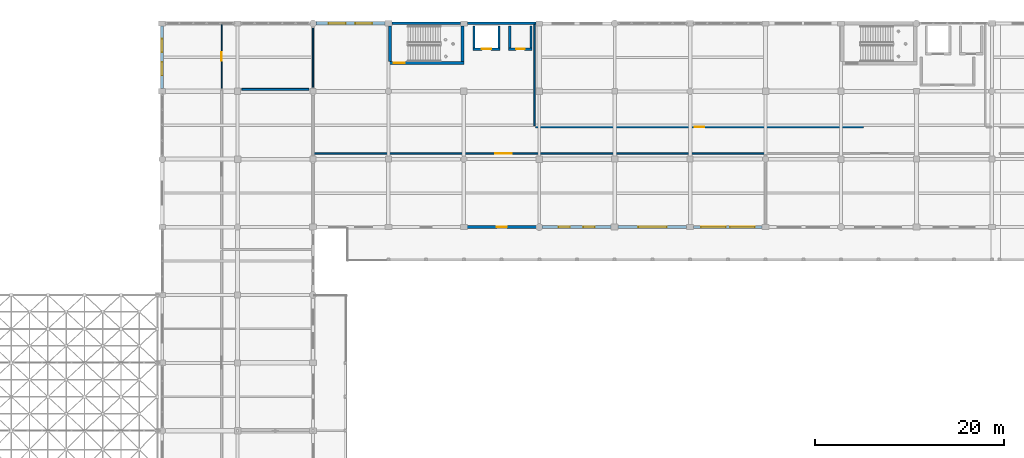
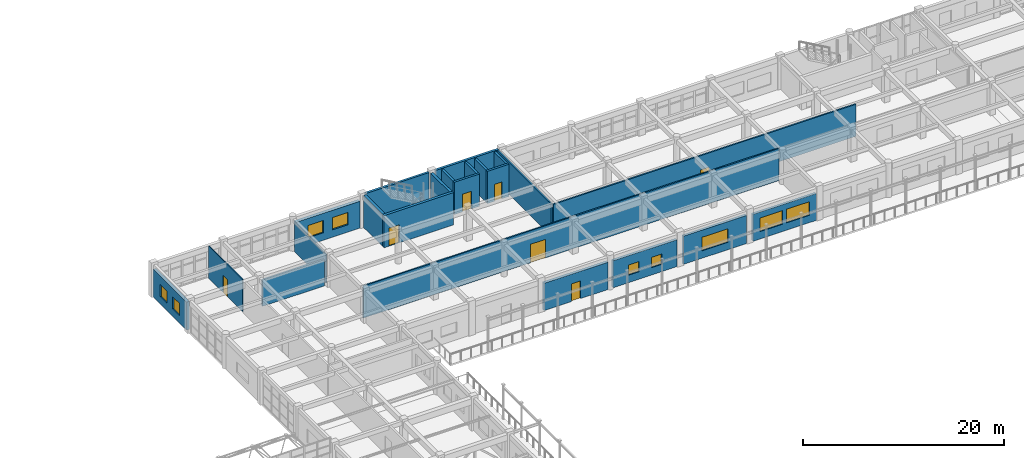
# One storey, part 170 of 195: 23 walls, 9 windows, 7 doors, 16 openings.
"""IFC4 building model written with IfcOpenShell, lengths in metres."""

from ifc_helpers import new_model, si_unit, direction, frame, frame_2d, origin, place, context, subcontext, project, spatial, rectangle, extrude, material, layer, layer_set, type_object, element, fill, save


model = new_model("IFC4")

# Units and contexts
model_context = context("Model", 3, precision=1e-05, world=origin(), true_north=direction((0.0, 1.0)))
body_context = subcontext(model_context, "Body", "Model", "MODEL_VIEW")
ifc_project = project(units=[si_unit("LENGTHUNIT", "METRE"), si_unit("AREAUNIT", "SQUARE_METRE"), si_unit("VOLUMEUNIT", "CUBIC_METRE"), si_unit("PLANEANGLEUNIT", "RADIAN"), si_unit("MASSUNIT", "GRAM", prefix="KILO")], contexts=[model_context])

# Site, building, storey
site_placement = place(None, origin())
site = spatial("IfcSite", under=ifc_project, at=site_placement, CompositionType="ELEMENT")
building_placement = place(site_placement, origin())
building = spatial("IfcBuilding", under=site, at=building_placement, Name="Kharva Crest Polytechnic", CompositionType="ELEMENT")
storey_placement = place(building_placement, frame((0.0, 0.0, 9.0)))
storey = spatial("IfcBuildingStorey", under=building, at=storey_placement, Name="L02", CompositionType="ELEMENT", Elevation=9.0)

# Wall, opening, door
ifc_material_1 = material(Name="Concrete C40/50", Category="concrete")
ifc_layer_1 = layer(ifc_material_1, 0.300048828125, Name="Concrete C40/50")
ifc_layer_set_1 = layer_set([ifc_layer_1], Name="Concrete C40/50")
wall_type_1 = type_object("IfcWallType", Name="WL-CORE-CW2-300", PredefinedType="SHEAR", material=ifc_layer_set_1)
wall_1_placement = place(storey_placement, frame((56.0, 117.7900390625, 0.0), z_axis=(0.0, 0.0, 1.0), x_axis=(1.0, 0.0, 0.0)))
wall_1 = element("IfcWall", 1, at=wall_1_placement, inside=storey, type_object=wall_type_1, Name="L02 North-West Lab Core C3 South Shear Wall", PredefinedType="SHEAR", context=body_context, shape_type="SweptSolid", body=[
    extrude(rectangle(XDim=8.0, YDim=0.300048828125, at=frame_2d((4.0, 0.0))), origin(), (0.0, 0.0, 1.0), 3.919921875),
])
opening_1_placement = place(wall_1_placement, frame((0.550048828125, 0.0, 0.0)))
opening_1 = element("IfcOpeningElement", 2, at=opening_1_placement, cuts=wall_1, Name="Opening FD1", PredefinedType="OPENING", context=body_context, shape_type="SweptSolid", body=[
    extrude(rectangle(XDim=1.199951171875, YDim=2.199951171875, at=frame_2d((0.60009765625, 1.10009765625))), frame((0.0, 0.159912109375, 0.0), z_axis=(0.0, -1.0, 0.0), x_axis=(1.0, 0.0, 0.0)), (0.0, 0.0, 1.0), 0.320068359375),
])
ifc_material_2 = material(Name="Teak timber", Category="wood")
door_type_1 = type_object("IfcDoorType", Name="DR-STAIR-1200X2200", OperationType="NOTDEFINED", PredefinedType="DOOR", material=ifc_material_2)
door_1_placement = place(opening_1_placement, origin())
door_1 = element("IfcDoor", 3, at=door_1_placement, inside=storey, type_object=door_type_1, Name="L02 ST-03 Stair Door", OperationType="SINGLE_SWING_LEFT", OverallHeight=2.199951171875, OverallWidth=1.199951171875, PredefinedType="DOOR", context=body_context, shape_type="SweptSolid", body=[
    extrude(rectangle(XDim=1.199951171875, YDim=2.199951171875, at=frame_2d((0.60009765625, 1.10009765625))), frame((0.0, 0.02490234375, 0.0), z_axis=(0.0, -1.0, 0.0), x_axis=(1.0, 0.0, 0.0)), (0.0, 0.0, 1.0), 0.050048828125),
])
fill(opening_1, door_1)

# Walls
for number, where, z_axis, x_axis, name in (
    (4, (56.14990234375, 117.93994140625, 0.0), (0.0, 0.0, 1.0), (0.0, 1.0, 0.0), "L02 North-West Lab Core C3 West Shear Wall"),
    (5, (63.85009765625, 117.93994140625, 0.0), (0.0, 0.0, 1.0), (0.0, 1.0, 0.0), "L02 North-West Lab Core C3 East Shear Wall"),
):
    element("IfcWall", number, at=place(storey_placement, frame(where, z_axis=z_axis, x_axis=x_axis)), inside=storey, type_object=wall_type_1, Name=name, PredefinedType="SHEAR", context=body_context, shape_type="SweptSolid", body=[
        extrude(rectangle(XDim=3.760009765625, YDim=0.300048828125, at=frame_2d((1.8798828125, 0.0))), origin(), (0.0, 0.0, 1.0), 3.919921875),
    ])
ifc_material_3 = material(Name="Kiln brick masonry", Category="masonry")
ifc_layer_2 = layer(ifc_material_3, 0.260009765625, Name="Kiln brick masonry")
ifc_layer_set_2 = layer_set([ifc_layer_2], Name="Kiln brick masonry")
wall_type_2 = type_object("IfcWallType", Name="WL-EXT-BRK-260", PredefinedType="SOLIDWALL", material=ifc_layer_set_2)
wall_2_placement = place(storey_placement, frame((63.6298828125, 122.0, 0.0), z_axis=(0.0, 0.0, 1.0), x_axis=(-1.0, 0.0, 0.0)))
element("IfcWall", 6, at=wall_2_placement, inside=storey, type_object=wall_type_2, Name="L02 Exterior Brick Wall 294", PredefinedType="SOLIDWALL", context=body_context, shape_type="SweptSolid", body=[
    extrude(rectangle(XDim=7.259765625, YDim=0.260009765625, at=frame_2d((3.6298828125, 0.0))), origin(), (0.0, 0.0, 1.0), 3.919921875),
])

# Wall, openings, windows
ifc_layer_3 = layer(ifc_material_3, 0.27490234375, Name="Kiln brick masonry")
ifc_layer_set_3 = layer_set([ifc_layer_3], Name="Kiln brick masonry")
wall_type_3 = type_object("IfcWallType", Name="WL-EXT-BRK-275", PredefinedType="SOLIDWALL", material=ifc_layer_set_3)
wall_3_placement = place(storey_placement, frame((88.3701171875, 100.39990234375, 0.0), z_axis=(0.0, 0.0, 1.0), x_axis=(1.0, 0.0, 0.0)))
wall_3 = element("IfcWall", 7, at=wall_3_placement, inside=storey, type_object=wall_type_3, Name="L02 Exterior Brick Wall 268", PredefinedType="SOLIDWALL", context=body_context, shape_type="SweptSolid", body=[
    extrude(rectangle(XDim=7.27490234375, YDim=0.27490234375, at=frame_2d((3.637451171875, 0.0))), origin(), (0.0, 0.0, 1.0), 3.27001953125),
])
opening_2_placement = place(wall_3_placement, frame((0.798095703125, 0.0, 0.89990234375)))
opening_2 = element("IfcOpeningElement", 8, at=opening_2_placement, cuts=wall_3, Name="Opening W24", PredefinedType="OPENING", context=body_context, shape_type="SweptSolid", body=[
    extrude(rectangle(XDim=2.60009765625, YDim=1.64990234375, at=frame_2d((1.300048828125, 0.824951171875))), frame((0.0, 0.1474609375, 0.0), z_axis=(0.0, -1.0, 0.0), x_axis=(1.0, 0.0, 0.0)), (0.0, 0.0, 1.0), 0.294921875),
])
opening_3_placement = place(wall_3_placement, frame((3.876953125, 0.0, 0.89990234375)))
opening_3 = element("IfcOpeningElement", 9, at=opening_3_placement, cuts=wall_3, Name="Opening W24", PredefinedType="OPENING", context=body_context, shape_type="SweptSolid", body=[
    extrude(rectangle(XDim=2.60009765625, YDim=1.64990234375, at=frame_2d((1.300048828125, 0.824951171875))), frame((0.0, 0.1474609375, 0.0), z_axis=(0.0, -1.0, 0.0), x_axis=(1.0, 0.0, 0.0)), (0.0, 0.0, 1.0), 0.294921875),
])
ifc_material_4 = material(Name="Anodised aluminium", Category="aluminium")
window_type_1 = type_object("IfcWindowType", Name="WIN-ALU-2600X1650", PartitioningType="SINGLE_PANEL", PredefinedType="WINDOW", material=ifc_material_4)
window_1_placement = place(opening_2_placement, origin())
window_1 = element("IfcWindow", 10, at=window_1_placement, inside=storey, type_object=window_type_1, Name="L02 Exterior Window 357", OverallHeight=1.64990234375, OverallWidth=2.60009765625, PartitioningType="SINGLE_PANEL", PredefinedType="WINDOW", context=body_context, shape_type="SweptSolid", body=[
    extrude(rectangle(XDim=2.60009765625, YDim=1.64990234375, at=frame_2d((1.300048828125, 0.824951171875))), frame((0.0, 0.030029296875, 0.0), z_axis=(0.0, -1.0, 0.0), x_axis=(1.0, 0.0, 0.0)), (0.0, 0.0, 1.0), 0.06005859375),
])
fill(opening_2, window_1)
window_2_placement = place(opening_3_placement, origin())
window_2 = element("IfcWindow", 11, at=window_2_placement, inside=storey, type_object=window_type_1, Name="L02 Exterior Window 358", OverallHeight=1.64990234375, OverallWidth=2.60009765625, PartitioningType="SINGLE_PANEL", PredefinedType="WINDOW", context=body_context, shape_type="SweptSolid", body=[
    extrude(rectangle(XDim=2.60009765625, YDim=1.64990234375, at=frame_2d((1.300048828125, 0.824951171875))), frame((0.0, 0.030029296875, 0.0), z_axis=(0.0, -1.0, 0.0), x_axis=(1.0, 0.0, 0.0)), (0.0, 0.0, 1.0), 0.06005859375),
])
fill(opening_3, window_2)

# Wall
wall_4_placement = place(storey_placement, frame((71.64501953125, 122.0, 0.0), z_axis=(0.0, 0.0, 1.0), x_axis=(-1.0, 0.0, 0.0)))
element("IfcWall", 12, at=wall_4_placement, inside=storey, type_object=wall_type_3, Name="L02 Exterior Brick Wall 293", PredefinedType="SOLIDWALL", context=body_context, shape_type="SweptSolid", body=[
    extrude(rectangle(XDim=7.27490234375, YDim=0.27490234375, at=frame_2d((3.637451171875, 0.0))), origin(), (0.0, 0.0, 1.0), 3.919921875),
])

# Wall, opening, window
ifc_layer_4 = layer(ifc_material_3, 0.2900390625, Name="Kiln brick masonry")
ifc_layer_set_4 = layer_set([ifc_layer_4], Name="Kiln brick masonry")
wall_type_4 = type_object("IfcWallType", Name="WL-EXT-BRK-290", PredefinedType="SOLIDWALL", material=ifc_layer_set_4)
wall_5_placement = place(storey_placement, frame((80.3701171875, 100.39990234375, 0.0), z_axis=(0.0, 0.0, 1.0), x_axis=(1.0, 0.0, 0.0)))
wall_5 = element("IfcWall", 13, at=wall_5_placement, inside=storey, type_object=wall_type_4, Name="L02 Exterior Brick Wall 267", PredefinedType="SOLIDWALL", context=body_context, shape_type="SweptSolid", body=[
    extrude(rectangle(XDim=7.259765625, YDim=0.2900390625, at=frame_2d((3.6298828125, 0.0))), origin(), (0.0, 0.0, 1.0), 3.419921875),
])
opening_4_placement = place(wall_5_placement, frame((2.1298828125, 0.0, 0.89990234375)))
opening_4 = element("IfcOpeningElement", 14, at=opening_4_placement, cuts=wall_5, Name="Opening W23", PredefinedType="OPENING", context=body_context, shape_type="SweptSolid", body=[
    extrude(rectangle(XDim=3.0, YDim=1.64990234375, at=frame_2d((1.5, 0.824951171875))), frame((0.0, 0.155029296875, 0.0), z_axis=(0.0, -1.0, 0.0), x_axis=(1.0, 0.0, 0.0)), (0.0, 0.0, 1.0), 0.31005859375),
])
window_type_2 = type_object("IfcWindowType", Name="WIN-ALU-3000X1650", PartitioningType="SINGLE_PANEL", PredefinedType="WINDOW", material=ifc_material_4)
window_3_placement = place(opening_4_placement, origin())
window_3 = element("IfcWindow", 15, at=window_3_placement, inside=storey, type_object=window_type_2, Name="L02 Exterior Window 356", OverallHeight=1.64990234375, OverallWidth=3.0, PartitioningType="SINGLE_PANEL", PredefinedType="WINDOW", context=body_context, shape_type="SweptSolid", body=[
    extrude(rectangle(XDim=3.0, YDim=1.64990234375, at=frame_2d((1.5, 0.824951171875))), frame((0.0, 0.030029296875, 0.0), z_axis=(0.0, -1.0, 0.0), x_axis=(1.0, 0.0, 0.0)), (0.0, 0.0, 1.0), 0.06005859375),
])
fill(opening_4, window_3)

# Wall, openings, windows
ifc_layer_5 = layer(ifc_material_3, 0.304931640625, Name="Kiln brick masonry")
ifc_layer_set_5 = layer_set([ifc_layer_5], Name="Kiln brick masonry")
wall_type_5 = type_object("IfcWallType", Name="WL-EXT-BRK-305", PredefinedType="SOLIDWALL", material=ifc_layer_set_5)
wall_6_placement = place(storey_placement, frame((72.302490234375, 100.39990234375, 0.0), z_axis=(0.0, 0.0, 1.0), x_axis=(1.0, 0.0, 0.0)))
wall_6 = element("IfcWall", 16, at=wall_6_placement, inside=storey, type_object=wall_type_5, Name="L02 Exterior Brick Wall 266", PredefinedType="SOLIDWALL", context=body_context, shape_type="SweptSolid", body=[
    extrude(rectangle(XDim=7.327392578125, YDim=0.304931640625, at=frame_2d((3.66357421875, 0.0))), origin(), (0.0, 0.0, 1.0), 3.27001953125),
])
opening_5_placement = place(wall_6_placement, frame((1.7490234375, 0.0, 0.89990234375)))
opening_5 = element("IfcOpeningElement", 17, at=opening_5_placement, cuts=wall_6, Name="Opening W21", PredefinedType="OPENING", context=body_context, shape_type="SweptSolid", body=[
    extrude(rectangle(XDim=1.199951171875, YDim=1.25, at=frame_2d((0.60009765625, 0.625))), frame((0.0, 0.162353515625, 0.0), z_axis=(0.0, -1.0, 0.0), x_axis=(1.0, 0.0, 0.0)), (0.0, 0.0, 1.0), 0.324951171875),
])
opening_6_placement = place(wall_6_placement, frame((4.3779296875, 0.0, 0.89990234375)))
opening_6 = element("IfcOpeningElement", 18, at=opening_6_placement, cuts=wall_6, Name="Opening W21", PredefinedType="OPENING", context=body_context, shape_type="SweptSolid", body=[
    extrude(rectangle(XDim=1.199951171875, YDim=1.25, at=frame_2d((0.60009765625, 0.625))), frame((0.0, 0.162353515625, 0.0), z_axis=(0.0, -1.0, 0.0), x_axis=(1.0, 0.0, 0.0)), (0.0, 0.0, 1.0), 0.324951171875),
])
window_type_3 = type_object("IfcWindowType", Name="WIN-ALU-1200X1250", PartitioningType="SINGLE_PANEL", PredefinedType="WINDOW", material=ifc_material_4)
window_4_placement = place(opening_5_placement, origin())
window_4 = element("IfcWindow", 19, at=window_4_placement, inside=storey, type_object=window_type_3, Name="L02 Exterior Window 354", OverallHeight=1.25, OverallWidth=1.199951171875, PartitioningType="SINGLE_PANEL", PredefinedType="WINDOW", context=body_context, shape_type="SweptSolid", body=[
    extrude(rectangle(XDim=1.199951171875, YDim=1.25, at=frame_2d((0.60009765625, 0.625))), frame((0.0, 0.030029296875, 0.0), z_axis=(0.0, -1.0, 0.0), x_axis=(1.0, 0.0, 0.0)), (0.0, 0.0, 1.0), 0.06005859375),
])
fill(opening_5, window_4)
window_5_placement = place(opening_6_placement, origin())
window_5 = element("IfcWindow", 20, at=window_5_placement, inside=storey, type_object=window_type_3, Name="L02 Exterior Window 355", OverallHeight=1.25, OverallWidth=1.199951171875, PartitioningType="SINGLE_PANEL", PredefinedType="WINDOW", context=body_context, shape_type="SweptSolid", body=[
    extrude(rectangle(XDim=1.199951171875, YDim=1.25, at=frame_2d((0.60009765625, 0.625))), frame((0.0, 0.030029296875, 0.0), z_axis=(0.0, -1.0, 0.0), x_axis=(1.0, 0.0, 0.0)), (0.0, 0.0, 1.0), 0.06005859375),
])
fill(opening_6, window_5)

# Wall, opening, door
ifc_layer_6 = layer(ifc_material_3, 0.320068359375, Name="Kiln brick masonry")
ifc_layer_set_6 = layer_set([ifc_layer_6], Name="Kiln brick masonry")
wall_type_6 = type_object("IfcWallType", Name="WL-EXT-BRK-320", PredefinedType="SOLIDWALL", material=ifc_layer_set_6)
wall_7_placement = place(storey_placement, frame((64.35498046875, 100.39990234375, 0.0), z_axis=(0.0, 0.0, 1.0), x_axis=(1.0, 0.0, 0.0)))
wall_7 = element("IfcWall", 21, at=wall_7_placement, inside=storey, type_object=wall_type_6, Name="L02 Exterior Brick Wall 265", PredefinedType="SOLIDWALL", context=body_context, shape_type="SweptSolid", body=[
    extrude(rectangle(XDim=7.342529296875, YDim=0.320068359375, at=frame_2d((3.67138671875, 0.0))), origin(), (0.0, 0.0, 1.0), 3.320068359375),
])
opening_7_placement = place(wall_7_placement, frame((3.14599609375, 0.0, 0.0)))
opening_7 = element("IfcOpeningElement", 22, at=opening_7_placement, cuts=wall_7, Name="Opening ED10", PredefinedType="OPENING", context=body_context, shape_type="SweptSolid", body=[
    extrude(rectangle(XDim=1.050048828125, YDim=2.14990234375, at=frame_2d((0.52490234375, 1.074951171875))), frame((0.0, 0.169921875, 0.0), z_axis=(0.0, -1.0, 0.0), x_axis=(1.0, 0.0, 0.0)), (0.0, 0.0, 1.0), 0.340087890625),
])
door_type_2 = type_object("IfcDoorType", Name="DR-EXT-TER-1050X2150", OperationType="NOTDEFINED", PredefinedType="DOOR", material=ifc_material_4)
door_2_placement = place(opening_7_placement, frame((1.050048828125, 0.0, 0.0), z_axis=(0.0, 0.0, 1.0), x_axis=(-1.0, 0.0, 0.0)))
door_2 = element("IfcDoor", 23, at=door_2_placement, inside=storey, type_object=door_type_2, Name="L02 VER_N_L02 Access Door 47", OperationType="SINGLE_SWING_LEFT", OverallHeight=2.14990234375, OverallWidth=1.050048828125, PredefinedType="DOOR", context=body_context, shape_type="SweptSolid", body=[
    extrude(rectangle(XDim=1.050048828125, YDim=2.14990234375, at=frame_2d((0.52490234375, 1.074951171875))), frame((0.0, 0.02490234375, 0.0), z_axis=(0.0, -1.0, 0.0), x_axis=(1.0, 0.0, 0.0)), (0.0, 0.0, 1.0), 0.050048828125),
])
fill(opening_7, door_2)

# Wall, openings, windows
ifc_layer_7 = layer(ifc_material_3, 0.3349609375, Name="Kiln brick masonry")
ifc_layer_set_7 = layer_set([ifc_layer_7], Name="Kiln brick masonry")
wall_type_7 = type_object("IfcWallType", Name="WL-EXT-BRK-335", PredefinedType="SOLIDWALL", material=ifc_layer_set_7)
wall_8_placement = place(storey_placement, frame((32.0, 121.72998046875, 0.0), z_axis=(0.0, 0.0, 1.0), x_axis=(0.0, -1.0, 0.0)))
wall_8 = element("IfcWall", 24, at=wall_8_placement, inside=storey, type_object=wall_type_7, Name="L02 Exterior Brick Wall 296", PredefinedType="SOLIDWALL", context=body_context, shape_type="SweptSolid", body=[
    extrude(rectangle(XDim=6.635009765625, YDim=0.3349609375, at=frame_2d((3.3173828125, 0.0))), origin(), (0.0, 0.0, 1.0), 3.39990234375),
])
opening_8_placement = place(wall_8_placement, frame((1.385009765625, 0.0, 0.89990234375)))
opening_8 = element("IfcOpeningElement", 25, at=opening_8_placement, cuts=wall_8, Name="Opening W15", PredefinedType="OPENING", context=body_context, shape_type="SweptSolid", body=[
    extrude(rectangle(XDim=1.39990234375, YDim=1.5, at=frame_2d((0.699951171875, 0.75))), frame((0.0, 0.177490234375, 0.0), z_axis=(0.0, -1.0, 0.0), x_axis=(1.0, 0.0, 0.0)), (0.0, 0.0, 1.0), 0.35498046875),
])
opening_9_placement = place(wall_8_placement, frame((3.85009765625, 0.0, 0.89990234375)))
opening_9 = element("IfcOpeningElement", 26, at=opening_9_placement, cuts=wall_8, Name="Opening W15", PredefinedType="OPENING", context=body_context, shape_type="SweptSolid", body=[
    extrude(rectangle(XDim=1.39990234375, YDim=1.5, at=frame_2d((0.699951171875, 0.75))), frame((0.0, 0.177490234375, 0.0), z_axis=(0.0, -1.0, 0.0), x_axis=(1.0, 0.0, 0.0)), (0.0, 0.0, 1.0), 0.35498046875),
])
window_type_4 = type_object("IfcWindowType", Name="WIN-ALU-1400X1500", PartitioningType="SINGLE_PANEL", PredefinedType="WINDOW", material=ifc_material_4)
window_6_placement = place(opening_8_placement, origin())
window_6 = element("IfcWindow", 27, at=window_6_placement, inside=storey, type_object=window_type_4, Name="L02 Exterior Window 396", OverallHeight=1.5, OverallWidth=1.39990234375, PartitioningType="SINGLE_PANEL", PredefinedType="WINDOW", context=body_context, shape_type="SweptSolid", body=[
    extrude(rectangle(XDim=1.39990234375, YDim=1.5, at=frame_2d((0.699951171875, 0.75))), frame((0.0, 0.030029296875, 0.0), z_axis=(0.0, -1.0, 0.0), x_axis=(1.0, 0.0, 0.0)), (0.0, 0.0, 1.0), 0.06005859375),
])
fill(opening_8, window_6)
window_7_placement = place(opening_9_placement, origin())
window_7 = element("IfcWindow", 28, at=window_7_placement, inside=storey, type_object=window_type_4, Name="L02 Exterior Window 397", OverallHeight=1.5, OverallWidth=1.39990234375, PartitioningType="SINGLE_PANEL", PredefinedType="WINDOW", context=body_context, shape_type="SweptSolid", body=[
    extrude(rectangle(XDim=1.39990234375, YDim=1.5, at=frame_2d((0.699951171875, 0.75))), frame((0.0, 0.030029296875, 0.0), z_axis=(0.0, -1.0, 0.0), x_axis=(1.0, 0.0, 0.0)), (0.0, 0.0, 1.0), 0.06005859375),
])
fill(opening_9, window_7)

ifc_layer_8 = layer(ifc_material_3, 0.3798828125, Name="Kiln brick masonry")
ifc_layer_set_8 = layer_set([ifc_layer_8], Name="Kiln brick masonry")
wall_type_8 = type_object("IfcWallType", Name="WL-EXT-BRK-380", PredefinedType="SOLIDWALL", material=ifc_layer_set_8)
wall_9_placement = place(storey_placement, frame((55.6298828125, 122.0, 0.0), z_axis=(0.0, 0.0, 1.0), x_axis=(-1.0, 0.0, 0.0)))
wall_9 = element("IfcWall", 29, at=wall_9_placement, inside=storey, type_object=wall_type_8, Name="L02 Exterior Brick Wall 295", PredefinedType="SOLIDWALL", context=body_context, shape_type="SweptSolid", body=[
    extrude(rectangle(XDim=7.327392578125, YDim=0.3798828125, at=frame_2d((3.66357421875, 0.0))), origin(), (0.0, 0.0, 1.0), 3.27001953125),
])
opening_10_placement = place(wall_9_placement, frame((1.34912109375, 0.0, 0.89990234375)))
opening_10 = element("IfcOpeningElement", 30, at=opening_10_placement, cuts=wall_9, Name="Opening W13", PredefinedType="OPENING", context=body_context, shape_type="SweptSolid", body=[
    extrude(rectangle(XDim=1.800048828125, YDim=1.5, at=frame_2d((0.89990234375, 0.75))), frame((0.0, 0.199951171875, 0.0), z_axis=(0.0, -1.0, 0.0), x_axis=(1.0, 0.0, 0.0)), (0.0, 0.0, 1.0), 0.39990234375),
])
opening_11_placement = place(wall_9_placement, frame((4.177978515625, 0.0, 0.89990234375)))
opening_11 = element("IfcOpeningElement", 31, at=opening_11_placement, cuts=wall_9, Name="Opening W13", PredefinedType="OPENING", context=body_context, shape_type="SweptSolid", body=[
    extrude(rectangle(XDim=1.800048828125, YDim=1.5, at=frame_2d((0.89990234375, 0.75))), frame((0.0, 0.199951171875, 0.0), z_axis=(0.0, -1.0, 0.0), x_axis=(1.0, 0.0, 0.0)), (0.0, 0.0, 1.0), 0.39990234375),
])
window_type_5 = type_object("IfcWindowType", Name="WIN-ALU-1800X1500", PartitioningType="SINGLE_PANEL", PredefinedType="WINDOW", material=ifc_material_4)
window_8_placement = place(opening_10_placement, origin())
window_8 = element("IfcWindow", 32, at=window_8_placement, inside=storey, type_object=window_type_5, Name="L02 Exterior Window 394", OverallHeight=1.5, OverallWidth=1.800048828125, PartitioningType="SINGLE_PANEL", PredefinedType="WINDOW", context=body_context, shape_type="SweptSolid", body=[
    extrude(rectangle(XDim=1.800048828125, YDim=1.5, at=frame_2d((0.89990234375, 0.75))), frame((0.0, 0.030029296875, 0.0), z_axis=(0.0, -1.0, 0.0), x_axis=(1.0, 0.0, 0.0)), (0.0, 0.0, 1.0), 0.06005859375),
])
fill(opening_10, window_8)
window_9_placement = place(opening_11_placement, origin())
window_9 = element("IfcWindow", 33, at=window_9_placement, inside=storey, type_object=window_type_5, Name="L02 Exterior Window 395", OverallHeight=1.5, OverallWidth=1.800048828125, PartitioningType="SINGLE_PANEL", PredefinedType="WINDOW", context=body_context, shape_type="SweptSolid", body=[
    extrude(rectangle(XDim=1.800048828125, YDim=1.5, at=frame_2d((0.89990234375, 0.75))), frame((0.0, 0.030029296875, 0.0), z_axis=(0.0, -1.0, 0.0), x_axis=(1.0, 0.0, 0.0)), (0.0, 0.0, 1.0), 0.06005859375),
])
fill(opening_11, window_9)

# Wall
ifc_layer_9 = layer(ifc_material_3, 0.110107421875, Name="Kiln brick masonry")
ifc_layer_set_9 = layer_set([ifc_layer_9], Name="Kiln brick masonry")
wall_type_9 = type_object("IfcWallType", Name="WL-PART-110", PredefinedType="PARTITIONING", material=ifc_layer_set_9)
wall_10_placement = place(storey_placement, frame((48.0, 115.239990234375, 0.0), z_axis=(0.0, 0.0, 1.0), x_axis=(0.0, 1.0, 0.0)))
element("IfcWall", 34, at=wall_10_placement, inside=storey, type_object=wall_type_9, Name="L02 Interior Partition 207", PredefinedType="PARTITIONING", context=body_context, shape_type="SweptSolid", body=[
    extrude(rectangle(XDim=6.27001953125, YDim=0.110107421875, at=frame_2d((3.135009765625, 0.0))), origin(), (0.0, 0.0, 1.0), 3.469970703125),
])

# Wall, opening, door
ifc_layer_10 = layer(ifc_material_3, 0.1201171875, Name="Kiln brick masonry")
ifc_layer_set_10 = layer_set([ifc_layer_10], Name="Kiln brick masonry")
wall_type_10 = type_object("IfcWallType", Name="WL-PART-120", PredefinedType="PARTITIONING", material=ifc_layer_set_10)
wall_11_placement = place(storey_placement, frame((38.31005859375, 115.1201171875, 0.0), z_axis=(0.0, 0.0, 1.0), x_axis=(0.0, 1.0, 0.0)))
wall_11 = element("IfcWall", 35, at=wall_11_placement, inside=storey, type_object=wall_type_10, Name="L02 Interior Partition 206", PredefinedType="PARTITIONING", context=body_context, shape_type="SweptSolid", body=[
    extrude(rectangle(XDim=6.769775390625, YDim=0.1201171875, at=frame_2d((3.384765625, 0.0))), origin(), (0.0, 0.0, 1.0), 3.89990234375),
])
opening_12_placement = place(wall_11_placement, frame((2.929931640625, 0.0, 0.0)))
opening_12 = element("IfcOpeningElement", 36, at=opening_12_placement, cuts=wall_11, Name="Opening ID15", PredefinedType="OPENING", context=body_context, shape_type="SweptSolid", body=[
    extrude(rectangle(XDim=0.909912109375, YDim=2.10009765625, at=frame_2d((0.455078125, 1.050048828125))), frame((0.0, 0.070068359375, 0.0), z_axis=(0.0, -1.0, 0.0), x_axis=(1.0, 0.0, 0.0)), (0.0, 0.0, 1.0), 0.14013671875),
])
door_type_3 = type_object("IfcDoorType", Name="DR-WC-910X2100", OperationType="NOTDEFINED", PredefinedType="DOOR", material=ifc_material_2)
door_3_placement = place(opening_12_placement, origin())
door_3 = element("IfcDoor", 37, at=door_3_placement, inside=storey, type_object=door_type_3, Name="L02 West Wing Washrooms and Accessible WC L02 Door", OperationType="SINGLE_SWING_RIGHT", OverallHeight=2.10009765625, OverallWidth=0.909912109375, PredefinedType="DOOR", context=body_context, shape_type="SweptSolid", body=[
    extrude(rectangle(XDim=0.909912109375, YDim=2.10009765625, at=frame_2d((0.455078125, 1.050048828125))), frame((0.0, 0.02490234375, 0.0), z_axis=(0.0, -1.0, 0.0), x_axis=(1.0, 0.0, 0.0)), (0.0, 0.0, 1.0), 0.050048828125),
])
fill(opening_12, door_3)

ifc_layer_11 = layer(ifc_material_3, 0.159912109375, Name="Kiln brick masonry")
ifc_layer_set_11 = layer_set([ifc_layer_11], Name="Kiln brick masonry")
wall_type_11 = type_object("IfcWallType", Name="WL-PART-160", PredefinedType="PARTITIONING", material=ifc_layer_set_11)
wall_12_placement = place(storey_placement, frame((48.1201171875, 108.18994140625, 0.0), z_axis=(0.0, 0.0, 1.0), x_axis=(1.0, 0.0, 0.0)))
wall_12 = element("IfcWall", 38, at=wall_12_placement, inside=storey, type_object=wall_type_11, Name="L02 Interior Partition 242", PredefinedType="PARTITIONING", context=body_context, shape_type="SweptSolid", body=[
    extrude(rectangle(XDim=47.769775390625, YDim=0.159912109375, at=frame_2d((23.884765625, 0.0))), origin(), (0.0, 0.0, 1.0), 3.89990234375),
])
opening_13_placement = place(wall_12_placement, frame((19.18798828125, 0.0, 0.0)))
opening_13 = element("IfcOpeningElement", 39, at=opening_13_placement, cuts=wall_12, Name="Opening ID5", PredefinedType="OPENING", context=body_context, shape_type="SweptSolid", body=[
    extrude(rectangle(XDim=1.75, YDim=2.25, at=frame_2d((0.875, 1.125))), frame((0.0, 0.08984375, 0.0), z_axis=(0.0, -1.0, 0.0), x_axis=(1.0, 0.0, 0.0)), (0.0, 0.0, 1.0), 0.179931640625),
])
door_type_4 = type_object("IfcDoorType", Name="DR-LIB-DBL-1750X2250", OperationType="NOTDEFINED", PredefinedType="DOOR", material=ifc_material_2)
door_4_placement = place(opening_13_placement, origin())
door_4 = element("IfcDoor", 40, at=door_4_placement, inside=storey, type_object=door_type_4, Name="L02 Technical Library Reading Hall Door", OperationType="DOUBLE_DOOR_SINGLE_SWING", OverallHeight=2.25, OverallWidth=1.75, PredefinedType="DOOR", context=body_context, shape_type="SweptSolid", body=[
    extrude(rectangle(XDim=1.75, YDim=2.25, at=frame_2d((0.875, 1.125))), frame((0.0, 0.02490234375, 0.0), z_axis=(0.0, -1.0, 0.0), x_axis=(1.0, 0.0, 0.0)), (0.0, 0.0, 1.0), 0.050048828125),
])
fill(opening_13, door_4)

# Wall
wall_13_placement = place(storey_placement, frame((71.5, 111.1201171875, 0.0), z_axis=(0.0, 0.0, 1.0), x_axis=(0.0, 1.0, 0.0)))
element("IfcWall", 41, at=wall_13_placement, inside=storey, type_object=wall_type_11, Name="L02 Interior Partition 252", PredefinedType="PARTITIONING", context=body_context, shape_type="SweptSolid", body=[
    extrude(rectangle(XDim=10.769775390625, YDim=0.159912109375, at=frame_2d((5.384765625, 0.0))), origin(), (0.0, 0.0, 1.0), 3.89990234375),
])

# Wall, opening, door
ifc_layer_12 = layer(ifc_material_3, 0.169921875, Name="Kiln brick masonry")
ifc_layer_set_12 = layer_set([ifc_layer_12], Name="Kiln brick masonry")
wall_type_12 = type_object("IfcWallType", Name="WL-PART-170", PredefinedType="PARTITIONING", material=ifc_layer_set_12)
wall_14_placement = place(storey_placement, frame((71.610107421875, 111.010009765625, 0.0), z_axis=(0.0, 0.0, 1.0), x_axis=(1.0, 0.0, 0.0)))
wall_14 = element("IfcWall", 42, at=wall_14_placement, inside=storey, type_object=wall_type_12, Name="L02 Interior Partition 251", PredefinedType="PARTITIONING", context=body_context, shape_type="SweptSolid", body=[
    extrude(rectangle(XDim=34.769775390625, YDim=0.169921875, at=frame_2d((17.384765625, 0.0))), origin(), (0.0, 0.0, 1.0), 3.89990234375),
])
opening_14_placement = place(wall_14_placement, frame((16.885009765625, 0.0, 0.0)))
opening_14 = element("IfcOpeningElement", 43, at=opening_14_placement, cuts=wall_14, Name="Opening ID12", PredefinedType="OPENING", context=body_context, shape_type="SweptSolid", body=[
    extrude(rectangle(XDim=1.0, YDim=2.14990234375, at=frame_2d((0.5, 1.074951171875))), frame((0.0, 0.094970703125, 0.0), z_axis=(0.0, -1.0, 0.0), x_axis=(1.0, 0.0, 0.0)), (0.0, 0.0, 1.0), 0.18994140625),
])
door_type_5 = type_object("IfcDoorType", Name="DR-OFF-1000X2150", OperationType="NOTDEFINED", PredefinedType="DOOR", material=ifc_material_2)
door_5_placement = place(opening_14_placement, origin())
door_5 = element("IfcDoor", 44, at=door_5_placement, inside=storey, type_object=door_type_5, Name="L02 Library Cataloguing Office Door", OperationType="SINGLE_SWING_RIGHT", OverallHeight=2.14990234375, OverallWidth=1.0, PredefinedType="DOOR", context=body_context, shape_type="SweptSolid", body=[
    extrude(rectangle(XDim=1.0, YDim=2.14990234375, at=frame_2d((0.5, 1.074951171875))), frame((0.0, 0.02490234375, 0.0), z_axis=(0.0, -1.0, 0.0), x_axis=(1.0, 0.0, 0.0)), (0.0, 0.0, 1.0), 0.050048828125),
])
fill(opening_14, door_5)

# Wall
ifc_layer_13 = layer(ifc_material_3, 0.205078125, Name="Kiln brick masonry")
ifc_layer_set_13 = layer_set([ifc_layer_13], Name="Kiln brick masonry")
wall_type_13 = type_object("IfcWallType", Name="WL-PART-205", PredefinedType="PARTITIONING", material=ifc_layer_set_13)
wall_15_placement = place(storey_placement, frame((40.455078125, 115.0, 0.0), z_axis=(0.0, 0.0, 1.0), x_axis=(1.0, 0.0, 0.0)))
element("IfcWall", 45, at=wall_15_placement, inside=storey, type_object=wall_type_13, Name="L02 Interior Partition 202", PredefinedType="PARTITIONING", context=body_context, shape_type="SweptSolid", body=[
    extrude(rectangle(XDim=7.10498046875, YDim=0.205078125, at=frame_2d((3.552490234375, 0.0))), origin(), (0.0, 0.0, 1.0), 3.199951171875),
])

# Wall, opening, door
ifc_layer_14 = layer(ifc_material_1, 0.25, Name="Concrete C40/50")
ifc_layer_set_14 = layer_set([ifc_layer_14], Name="Concrete C40/50")
wall_type_14 = type_object("IfcWallType", Name="WL-SHEAR-SW1-250", PredefinedType="SHEAR", material=ifc_layer_set_14)
wall_16_placement = place(storey_placement, frame((64.949951171875, 119.27490234375, 0.0), z_axis=(0.0, 0.0, 1.0), x_axis=(1.0, 0.0, 0.0)))
wall_16 = element("IfcWall", 46, at=wall_16_placement, inside=storey, type_object=wall_type_14, Name="L02 Lift PL3 South Shaft Wall", PredefinedType="SHEAR", context=body_context, shape_type="SweptSolid", body=[
    extrude(rectangle(XDim=2.900146484375, YDim=0.25, at=frame_2d((1.4501953125, 0.0))), origin(), (0.0, 0.0, 1.0), 3.919921875),
])
opening_15_placement = place(wall_16_placement, frame((0.949951171875, 0.0, 0.0)))
opening_15 = element("IfcOpeningElement", 47, at=opening_15_placement, cuts=wall_16, Name="Opening LD2", PredefinedType="OPENING", context=body_context, shape_type="SweptSolid", body=[
    extrude(rectangle(XDim=1.0, YDim=2.14990234375, at=frame_2d((0.5, 1.074951171875))), frame((0.0, 0.135009765625, 0.0), z_axis=(0.0, -1.0, 0.0), x_axis=(1.0, 0.0, 0.0)), (0.0, 0.0, 1.0), 0.27001953125),
])
door_type_6 = type_object("IfcDoorType", Name="DR-LIFT-LD2-1000X2150", OperationType="SLIDING_TO_LEFT", PredefinedType="DOOR", material=ifc_material_4)
door_6_placement = place(opening_15_placement, origin())
door_6 = element("IfcDoor", 48, at=door_6_placement, inside=storey, type_object=door_type_6, Name="L02 Lift PL3 Sliding Landing Door", OperationType="SLIDING_TO_LEFT", OverallHeight=2.14990234375, OverallWidth=1.0, PredefinedType="DOOR", context=body_context, shape_type="SweptSolid", body=[
    extrude(rectangle(XDim=1.0, YDim=2.14990234375, at=frame_2d((0.5, 1.074951171875))), frame((0.0, 0.02490234375, 0.0), z_axis=(0.0, -1.0, 0.0), x_axis=(1.0, 0.0, 0.0)), (0.0, 0.0, 1.0), 0.050048828125),
])
fill(opening_15, door_6)

# Walls
for number, where, z_axis, x_axis, name in (
    (49, (65.074951171875, 119.39990234375, 0.0), (0.0, 0.0, 1.0), (0.0, 1.0, 0.0), "L02 Lift PL3 West Shaft Wall"),
    (50, (67.72509765625, 119.39990234375, 0.0), (0.0, 0.0, 1.0), (0.0, 1.0, 0.0), "L02 Lift PL3 East Shaft Wall"),
):
    element("IfcWall", number, at=place(storey_placement, frame(where, z_axis=z_axis, x_axis=x_axis)), inside=storey, type_object=wall_type_14, Name=name, PredefinedType="SHEAR", context=body_context, shape_type="SweptSolid", body=[
        extrude(rectangle(XDim=2.300048828125, YDim=0.25, at=frame_2d((1.14990234375, 0.0))), origin(), (0.0, 0.0, 1.0), 3.919921875),
    ])

# Wall, opening, door
wall_17_placement = place(storey_placement, frame((68.75, 119.27490234375, 0.0), z_axis=(0.0, 0.0, 1.0), x_axis=(1.0, 0.0, 0.0)))
wall_17 = element("IfcWall", 51, at=wall_17_placement, inside=storey, type_object=wall_type_14, Name="L02 Core C3 Riser South Wall", PredefinedType="SHEAR", context=body_context, shape_type="SweptSolid", body=[
    extrude(rectangle(XDim=2.5, YDim=0.25, at=frame_2d((1.25, 0.0))), origin(), (0.0, 0.0, 1.0), 3.919921875),
])
opening_16_placement = place(wall_17_placement, frame((0.800048828125, 0.0, 0.0)))
opening_16 = element("IfcOpeningElement", 52, at=opening_16_placement, cuts=wall_17, Name="Opening FD3", PredefinedType="OPENING", context=body_context, shape_type="SweptSolid", body=[
    extrude(rectangle(XDim=0.89990234375, YDim=2.050048828125, at=frame_2d((0.449951171875, 1.02490234375))), frame((0.0, 0.135009765625, 0.0), z_axis=(0.0, -1.0, 0.0), x_axis=(1.0, 0.0, 0.0)), (0.0, 0.0, 1.0), 0.27001953125),
])
door_type_7 = type_object("IfcDoorType", Name="DR-RISER-900X2050", OperationType="NOTDEFINED", PredefinedType="DOOR", material=ifc_material_4)
door_7_placement = place(opening_16_placement, origin())
door_7 = element("IfcDoor", 53, at=door_7_placement, inside=storey, type_object=door_type_7, Name="L02 Core C3 Riser Access Door", OperationType="SINGLE_SWING_RIGHT", OverallHeight=2.050048828125, OverallWidth=0.89990234375, PredefinedType="DOOR", context=body_context, shape_type="SweptSolid", body=[
    extrude(rectangle(XDim=0.89990234375, YDim=2.050048828125, at=frame_2d((0.449951171875, 1.02490234375))), frame((0.0, 0.02490234375, 0.0), z_axis=(0.0, -1.0, 0.0), x_axis=(1.0, 0.0, 0.0)), (0.0, 0.0, 1.0), 0.050048828125),
])
fill(opening_16, door_7)

# Walls
for number, where, z_axis, x_axis, name in (
    (54, (68.875, 119.39990234375, 0.0), (0.0, 0.0, 1.0), (0.0, 1.0, 0.0), "L02 Core C3 Riser West Wall"),
    (55, (71.125, 119.39990234375, 0.0), (0.0, 0.0, 1.0), (0.0, 1.0, 0.0), "L02 Core C3 Riser East Wall"),
):
    element("IfcWall", number, at=place(storey_placement, frame(where, z_axis=z_axis, x_axis=x_axis)), inside=storey, type_object=wall_type_14, Name=name, PredefinedType="SHEAR", context=body_context, shape_type="SweptSolid", body=[
        extrude(rectangle(XDim=2.300048828125, YDim=0.25, at=frame_2d((1.14990234375, 0.0))), origin(), (0.0, 0.0, 1.0), 3.919921875),
    ])

save(model, "model.ifc")
